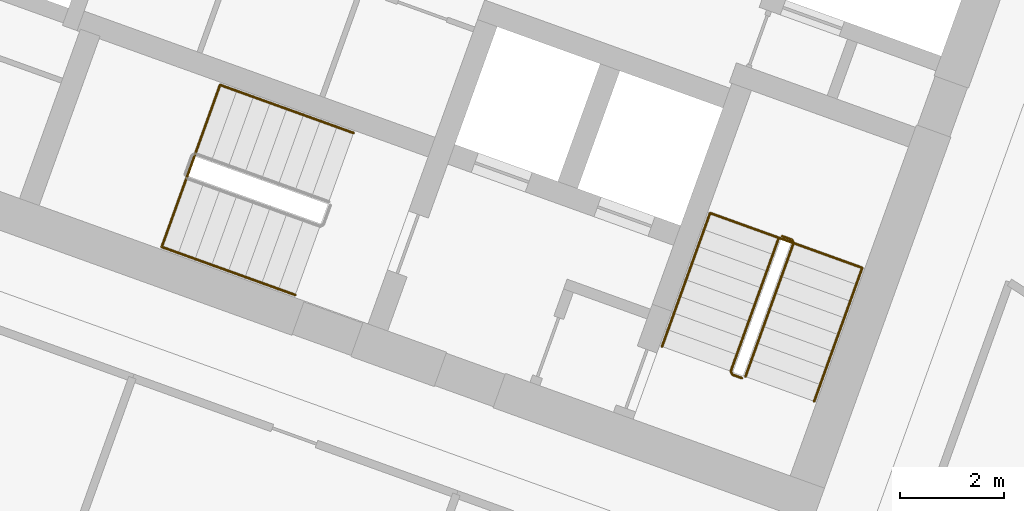
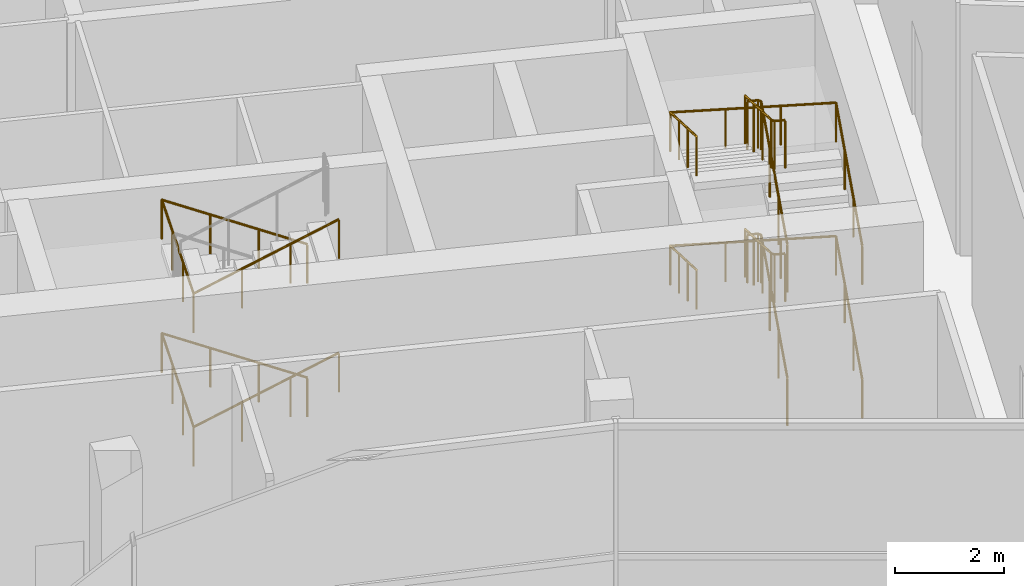
# One storey, part 18 of 18: 8 railings.
"""IFC4 building model written with IfcOpenShell, lengths in metres."""

from ifc_helpers import new_model, si_unit, direction, frame, origin, origin_2d, place, context, subcontext, project, spatial, circle, extrude, material, type_object, element, save


model = new_model("IFC4")

# Units and contexts
model_context = context("Model", 3, precision=1e-05, world=origin(), true_north=direction((0.0, 1.0)))
body_context = subcontext(model_context, "Body", "Model", "MODEL_VIEW")
ifc_project = project(units=[si_unit("LENGTHUNIT", "METRE"), si_unit("AREAUNIT", "SQUARE_METRE"), si_unit("VOLUMEUNIT", "CUBIC_METRE"), si_unit("PLANEANGLEUNIT", "RADIAN"), si_unit("MASSUNIT", "GRAM", prefix="KILO")], contexts=[model_context])

# Site, building, storey
site_placement = place(None, origin())
site = spatial("IfcSite", under=ifc_project, at=site_placement, CompositionType="ELEMENT")
building_placement = place(site_placement, origin())
building = spatial("IfcBuilding", under=site, at=building_placement, Name="Stone Belt Terrace Tower", CompositionType="ELEMENT")
storey_placement = place(building_placement, frame((0.0, 0.0, 307.39990234375)))
storey = spatial("IfcBuildingStorey", under=building, at=storey_placement, Name="L75", CompositionType="ELEMENT", Elevation=307.39990234375)

# Railings
ifc_material = material(Name="Structural steel C345", Category="steel")
railing_type_1 = type_object("IfcRailingType", Name="Stair guard 1100", PredefinedType="GUARDRAIL", material=ifc_material)
railing_1_placement = place(storey_placement, frame((24.494140625, 45.174560546875, 0.166748046875)))
element("IfcRailing", 1, at=railing_1_placement, inside=storey, type_object=railing_type_1, Name="L75 ST1B stair guard 1", PredefinedType="GUARDRAIL", context=body_context, shape_type="SweptSolid", body=[
    extrude(circle(Radius=0.02392578125, at=origin_2d()), frame((0.0, 0.0, 1.076171875), z_axis=(0.304085050599, 0.844877706182, 0.440129462316), x_axis=(-0.940912581645, 0.338649544076, 0.0)), (0.0, 0.0, 1.0), 3.029296875),
    extrude(circle(Radius=0.02392578125, at=origin_2d()), frame((0.921142578125, 2.559326171875, 2.4091796875), z_axis=(-0.424964916, 0.905209821074, 0.0), x_axis=(-0.905209821074, -0.424964916, 0.0)), (0.0, 0.0, 1.0), 0.070556640625),
    extrude(circle(Radius=0.02392578125, at=origin_2d()), frame((0.89111328125, 2.623291015625, 2.4091796875), z_axis=(-0.941105063269, 0.338114270461, 0.0), x_axis=(-0.338114270461, -0.941105063269, 0.0)), (0.0, 0.0, 1.0), 0.199951171875),
    extrude(circle(Radius=0.02099609375, at=origin_2d()), origin(), (0.0, 0.0, 1.0), 1.052001953125),
    extrude(circle(Radius=0.02099609375, at=origin_2d()), frame((0.30712890625, 0.85302734375, 0.4443359375)), (0.0, 0.0, 1.0), 1.052001953125),
    extrude(circle(Radius=0.02099609375, at=origin_2d()), frame((0.614013671875, 1.706298828125, 0.888916015625)), (0.0, 0.0, 1.0), 1.052001953125),
    extrude(circle(Radius=0.02099609375, at=origin_2d()), frame((0.921142578125, 2.559326171875, 1.333251953125)), (0.0, 0.0, 1.0), 1.052001953125),
    extrude(circle(Radius=0.02099609375, at=origin_2d()), frame((0.89111328125, 2.623291015625, 1.333251953125)), (0.0, 0.0, 1.0), 1.052001953125),
    extrude(circle(Radius=0.02099609375, at=origin_2d()), frame((0.702880859375, 2.69091796875, 1.333251953125)), (0.0, 0.0, 1.0), 1.052001953125),
])
railing_2_placement = place(storey_placement, frame((25.133056640625, 47.83544921875, 1.666748046875)))
element("IfcRailing", 2, at=railing_2_placement, inside=storey, type_object=railing_type_1, Name="L75 ST1B stair guard 2", PredefinedType="GUARDRAIL", context=body_context, shape_type="SweptSolid", body=[
    extrude(circle(Radius=0.02392578125, at=origin_2d()), frame((0.0, 0.0, 1.076171875), z_axis=(-0.304085050599, -0.844877706182, 0.440129462316), x_axis=(0.940912581645, -0.338649544076, 0.0)), (0.0, 0.0, 1.0), 3.029296875),
    extrude(circle(Radius=0.02392578125, at=origin_2d()), frame((-0.921142578125, -2.559326171875, 2.4091796875), z_axis=(0.427789722475, -0.903878284585, 0.0), x_axis=(0.903878284585, 0.427789722475, 0.0)), (0.0, 0.0, 1.0), 0.07080078125),
    extrude(circle(Radius=0.02392578125, at=origin_2d()), frame((-0.890869140625, -2.623291015625, 2.4091796875), z_axis=(0.940575576748, -0.339584429008, 0.0), x_axis=(0.339584429008, 0.940575576748, 0.0)), (0.0, 0.0, 1.0), 0.199951171875),
    extrude(circle(Radius=0.02099609375, at=origin_2d()), origin(), (0.0, 0.0, 1.0), 1.052001953125),
    extrude(circle(Radius=0.02099609375, at=origin_2d()), frame((-0.30712890625, -0.85302734375, 0.4443359375)), (0.0, 0.0, 1.0), 1.052001953125),
    extrude(circle(Radius=0.02099609375, at=origin_2d()), frame((-0.614013671875, -1.706298828125, 0.888916015625)), (0.0, 0.0, 1.0), 1.052001953125),
    extrude(circle(Radius=0.02099609375, at=origin_2d()), frame((-0.921142578125, -2.559326171875, 1.333251953125)), (0.0, 0.0, 1.0), 1.052001953125),
    extrude(circle(Radius=0.02099609375, at=origin_2d()), frame((-0.890869140625, -2.623291015625, 1.333251953125)), (0.0, 0.0, 1.0), 1.052001953125),
    extrude(circle(Radius=0.02099609375, at=origin_2d()), frame((-0.702880859375, -2.691162109375, 1.333251953125)), (0.0, 0.0, 1.0), 1.052001953125),
])
railing_3_placement = place(storey_placement, frame((24.494140625, 45.174560546875, 3.166748046875)))
element("IfcRailing", 3, at=railing_3_placement, inside=storey, type_object=railing_type_1, Name="L75 ST1B stair guard 3", PredefinedType="GUARDRAIL", context=body_context, shape_type="SweptSolid", body=[
    extrude(circle(Radius=0.02392578125, at=origin_2d()), frame((0.0, 0.0, 1.076171875), z_axis=(0.304085050599, 0.844877706182, 0.440129462316), x_axis=(-0.940912581645, 0.338649544076, 0.0)), (0.0, 0.0, 1.0), 3.029296875),
    extrude(circle(Radius=0.02392578125, at=origin_2d()), frame((0.921142578125, 2.559326171875, 2.4091796875), z_axis=(-0.424964916, 0.905209821074, 0.0), x_axis=(-0.905209821074, -0.424964916, 0.0)), (0.0, 0.0, 1.0), 0.070556640625),
    extrude(circle(Radius=0.02392578125, at=origin_2d()), frame((0.89111328125, 2.623291015625, 2.4091796875), z_axis=(-0.941105063269, 0.338114270461, 0.0), x_axis=(-0.338114270461, -0.941105063269, 0.0)), (0.0, 0.0, 1.0), 0.199951171875),
    extrude(circle(Radius=0.02099609375, at=origin_2d()), origin(), (0.0, 0.0, 1.0), 1.052001953125),
    extrude(circle(Radius=0.02099609375, at=origin_2d()), frame((0.30712890625, 0.85302734375, 0.4443359375)), (0.0, 0.0, 1.0), 1.052001953125),
    extrude(circle(Radius=0.02099609375, at=origin_2d()), frame((0.614013671875, 1.706298828125, 0.888916015625)), (0.0, 0.0, 1.0), 1.052001953125),
    extrude(circle(Radius=0.02099609375, at=origin_2d()), frame((0.921142578125, 2.559326171875, 1.333251953125)), (0.0, 0.0, 1.0), 1.052001953125),
    extrude(circle(Radius=0.02099609375, at=origin_2d()), frame((0.89111328125, 2.623291015625, 1.333251953125)), (0.0, 0.0, 1.0), 1.052001953125),
    extrude(circle(Radius=0.02099609375, at=origin_2d()), frame((0.702880859375, 2.69091796875, 1.333251953125)), (0.0, 0.0, 1.0), 1.052001953125),
])
railing_4_placement = place(storey_placement, frame((25.133056640625, 47.83544921875, 4.666748046875)))
element("IfcRailing", 4, at=railing_4_placement, inside=storey, type_object=railing_type_1, Name="L75 ST1B stair guard 4", PredefinedType="GUARDRAIL", context=body_context, shape_type="SweptSolid", body=[
    extrude(circle(Radius=0.02392578125, at=origin_2d()), frame((0.0, 0.0, 1.076171875), z_axis=(-0.304085050599, -0.844877706182, 0.440129462316), x_axis=(0.940912581645, -0.338649544076, 0.0)), (0.0, 0.0, 1.0), 3.029296875),
    extrude(circle(Radius=0.02392578125, at=origin_2d()), frame((-0.921142578125, -2.559326171875, 2.4091796875), z_axis=(0.427789722475, -0.903878284585, 0.0), x_axis=(0.903878284585, 0.427789722475, 0.0)), (0.0, 0.0, 1.0), 0.07080078125),
    extrude(circle(Radius=0.02392578125, at=origin_2d()), frame((-0.890869140625, -2.623291015625, 2.4091796875), z_axis=(0.940575576748, -0.339584429008, 0.0), x_axis=(0.339584429008, 0.940575576748, 0.0)), (0.0, 0.0, 1.0), 0.199951171875),
    extrude(circle(Radius=0.02099609375, at=origin_2d()), origin(), (0.0, 0.0, 1.0), 1.052001953125),
    extrude(circle(Radius=0.02099609375, at=origin_2d()), frame((-0.30712890625, -0.85302734375, 0.4443359375)), (0.0, 0.0, 1.0), 1.052001953125),
    extrude(circle(Radius=0.02099609375, at=origin_2d()), frame((-0.614013671875, -1.706298828125, 0.888916015625)), (0.0, 0.0, 1.0), 1.052001953125),
    extrude(circle(Radius=0.02099609375, at=origin_2d()), frame((-0.921142578125, -2.559326171875, 1.333251953125)), (0.0, 0.0, 1.0), 1.052001953125),
    extrude(circle(Radius=0.02099609375, at=origin_2d()), frame((-0.890869140625, -2.623291015625, 1.333251953125)), (0.0, 0.0, 1.0), 1.052001953125),
    extrude(circle(Radius=0.02099609375, at=origin_2d()), frame((-0.702880859375, -2.691162109375, 1.333251953125)), (0.0, 0.0, 1.0), 1.052001953125),
])
railing_type_2 = type_object("IfcRailingType", Name="Stair handrail 900", PredefinedType="HANDRAIL", material=ifc_material)
railing_5_placement = place(storey_placement, frame((25.8115234375, 44.700439453125, 0.166748046875)))
element("IfcRailing", 5, at=railing_5_placement, inside=storey, type_object=railing_type_2, Name="L75 ST1B stair handrail 1", PredefinedType="HANDRAIL", context=body_context, shape_type="SweptSolid", body=[
    extrude(circle(Radius=0.02392578125, at=origin_2d()), frame((0.0, 0.0, 0.8759765625), z_axis=(0.304085050599, 0.844877706182, 0.440129462316), x_axis=(-0.940912581645, 0.338649544076, 0.0)), (0.0, 0.0, 1.0), 3.029296875),
    extrude(circle(Radius=0.02392578125, at=origin_2d()), frame((0.921142578125, 2.559326171875, 2.208984375), z_axis=(-0.939586396849, 0.338071804491, 0.05371087287), x_axis=(-0.338560506674, -0.940944622877, 0.0)), (0.0, 0.0, 1.0), 3.1044921875),
    extrude(circle(Radius=0.02392578125, at=origin_2d()), frame((-1.995849609375, 3.60888671875, 2.3759765625), z_axis=(-0.304032608525, -0.844875345325, 0.44017022141), x_axis=(0.940930888665, -0.338598675066, 0.0)), (0.0, 0.0, 1.0), 3.029052734375),
    extrude(circle(Radius=0.02099609375, at=origin_2d()), origin(), (0.0, 0.0, 1.0), 0.851806640625),
    extrude(circle(Radius=0.02099609375, at=origin_2d()), frame((0.30712890625, 0.85302734375, 0.4443359375)), (0.0, 0.0, 1.0), 0.851806640625),
    extrude(circle(Radius=0.02099609375, at=origin_2d()), frame((0.614013671875, 1.706298828125, 0.888916015625)), (0.0, 0.0, 1.0), 0.851806640625),
    extrude(circle(Radius=0.02099609375, at=origin_2d()), frame((0.921142578125, 2.559326171875, 1.333251953125)), (0.0, 0.0, 1.0), 0.851806640625),
    extrude(circle(Radius=0.02099609375, at=origin_2d()), frame((-0.05126953125, 2.9091796875, 1.388916015625)), (0.0, 0.0, 1.0), 0.851806640625),
    extrude(circle(Radius=0.02099609375, at=origin_2d()), frame((-1.0234375, 3.259033203125, 1.4443359375)), (0.0, 0.0, 1.0), 0.851806640625),
    extrude(circle(Radius=0.02099609375, at=origin_2d()), frame((-1.995849609375, 3.60888671875, 1.5)), (0.0, 0.0, 1.0), 0.851806640625),
    extrude(circle(Radius=0.02099609375, at=origin_2d()), frame((-2.302734375, 2.755859375, 1.9443359375)), (0.0, 0.0, 1.0), 0.851806640625),
    extrude(circle(Radius=0.02099609375, at=origin_2d()), frame((-2.60986328125, 1.90283203125, 2.388916015625)), (0.0, 0.0, 1.0), 0.851806640625),
    extrude(circle(Radius=0.02099609375, at=origin_2d()), frame((-2.916748046875, 1.0498046875, 2.833251953125)), (0.0, 0.0, 1.0), 0.851806640625),
])
railing_6_placement = place(storey_placement, frame((25.8115234375, 44.700439453125, 3.166748046875)))
element("IfcRailing", 6, at=railing_6_placement, inside=storey, type_object=railing_type_2, Name="L75 ST1B stair handrail 2", PredefinedType="HANDRAIL", context=body_context, shape_type="SweptSolid", body=[
    extrude(circle(Radius=0.02392578125, at=origin_2d()), frame((0.0, 0.0, 0.8759765625), z_axis=(0.304085050599, 0.844877706182, 0.440129462316), x_axis=(-0.940912581645, 0.338649544076, 0.0)), (0.0, 0.0, 1.0), 3.029296875),
    extrude(circle(Radius=0.02392578125, at=origin_2d()), frame((0.921142578125, 2.559326171875, 2.208984375), z_axis=(-0.939586396849, 0.338071804491, 0.05371087287), x_axis=(-0.338560506674, -0.940944622877, 0.0)), (0.0, 0.0, 1.0), 3.1044921875),
    extrude(circle(Radius=0.02392578125, at=origin_2d()), frame((-1.995849609375, 3.60888671875, 2.3759765625), z_axis=(-0.304032608525, -0.844875345325, 0.44017022141), x_axis=(0.940930888665, -0.338598675066, 0.0)), (0.0, 0.0, 1.0), 3.029052734375),
    extrude(circle(Radius=0.02099609375, at=origin_2d()), origin(), (0.0, 0.0, 1.0), 0.851806640625),
    extrude(circle(Radius=0.02099609375, at=origin_2d()), frame((0.30712890625, 0.85302734375, 0.4443359375)), (0.0, 0.0, 1.0), 0.851806640625),
    extrude(circle(Radius=0.02099609375, at=origin_2d()), frame((0.614013671875, 1.706298828125, 0.888916015625)), (0.0, 0.0, 1.0), 0.851806640625),
    extrude(circle(Radius=0.02099609375, at=origin_2d()), frame((0.921142578125, 2.559326171875, 1.333251953125)), (0.0, 0.0, 1.0), 0.851806640625),
    extrude(circle(Radius=0.02099609375, at=origin_2d()), frame((-0.05126953125, 2.9091796875, 1.388916015625)), (0.0, 0.0, 1.0), 0.851806640625),
    extrude(circle(Radius=0.02099609375, at=origin_2d()), frame((-1.0234375, 3.259033203125, 1.4443359375)), (0.0, 0.0, 1.0), 0.851806640625),
    extrude(circle(Radius=0.02099609375, at=origin_2d()), frame((-1.995849609375, 3.60888671875, 1.5)), (0.0, 0.0, 1.0), 0.851806640625),
    extrude(circle(Radius=0.02099609375, at=origin_2d()), frame((-2.302734375, 2.755859375, 1.9443359375)), (0.0, 0.0, 1.0), 0.851806640625),
    extrude(circle(Radius=0.02099609375, at=origin_2d()), frame((-2.60986328125, 1.90283203125, 2.388916015625)), (0.0, 0.0, 1.0), 0.851806640625),
    extrude(circle(Radius=0.02099609375, at=origin_2d()), frame((-2.916748046875, 1.0498046875, 2.833251953125)), (0.0, 0.0, 1.0), 0.851806640625),
])
railing_7_placement = place(storey_placement, frame((16.981689453125, 49.84423828125, 0.166748046875)))
element("IfcRailing", 7, at=railing_7_placement, inside=storey, type_object=railing_type_2, Name="L75 ST2B stair handrail 1", PredefinedType="HANDRAIL", context=body_context, shape_type="SweptSolid", body=[
    extrude(circle(Radius=0.02392578125, at=origin_2d()), frame((0.0, 0.0, 0.8759765625), z_axis=(-0.844877706182, 0.304085050599, 0.440129462316), x_axis=(-0.338649544076, -0.940912581645, 0.0)), (0.0, 0.0, 1.0), 3.029296875),
    extrude(circle(Radius=0.02392578125, at=origin_2d()), frame((-2.559326171875, 0.921142578125, 2.208984375), z_axis=(-0.33819104767, -0.939723343734, 0.050466350351), x_axis=(0.940922302781, -0.338622533404, 0.0)), (0.0, 0.0, 1.0), 3.30419921875),
    extrude(circle(Radius=0.02392578125, at=origin_2d()), frame((-3.6767578125, -2.183837890625, 2.3759765625), z_axis=(0.844877706182, -0.304085050599, 0.440129462316), x_axis=(0.338649544076, 0.940912581645, 0.0)), (0.0, 0.0, 1.0), 3.029296875),
    extrude(circle(Radius=0.02099609375, at=origin_2d()), origin(), (0.0, 0.0, 1.0), 0.851806640625),
    extrude(circle(Radius=0.02099609375, at=origin_2d()), frame((-0.85302734375, 0.30712890625, 0.4443359375)), (0.0, 0.0, 1.0), 0.851806640625),
    extrude(circle(Radius=0.02099609375, at=origin_2d()), frame((-1.706298828125, 0.614013671875, 0.888916015625)), (0.0, 0.0, 1.0), 0.851806640625),
    extrude(circle(Radius=0.02099609375, at=origin_2d()), frame((-2.559326171875, 0.921142578125, 1.333251953125)), (0.0, 0.0, 1.0), 0.851806640625),
    extrude(circle(Radius=0.02099609375, at=origin_2d()), frame((-2.931884765625, -0.11376953125, 1.388916015625)), (0.0, 0.0, 1.0), 0.851806640625),
    extrude(circle(Radius=0.02099609375, at=origin_2d()), frame((-3.30419921875, -1.14892578125, 1.4443359375)), (0.0, 0.0, 1.0), 0.851806640625),
    extrude(circle(Radius=0.02099609375, at=origin_2d()), frame((-3.6767578125, -2.183837890625, 1.5)), (0.0, 0.0, 1.0), 0.851806640625),
    extrude(circle(Radius=0.02099609375, at=origin_2d()), frame((-2.82373046875, -2.490966796875, 1.9443359375)), (0.0, 0.0, 1.0), 0.851806640625),
    extrude(circle(Radius=0.02099609375, at=origin_2d()), frame((-1.970458984375, -2.7978515625, 2.388916015625)), (0.0, 0.0, 1.0), 0.851806640625),
    extrude(circle(Radius=0.02099609375, at=origin_2d()), frame((-1.117431640625, -3.10498046875, 2.833251953125)), (0.0, 0.0, 1.0), 0.851806640625),
])
railing_8_placement = place(storey_placement, frame((16.981689453125, 49.84423828125, 3.166748046875)))
element("IfcRailing", 8, at=railing_8_placement, inside=storey, type_object=railing_type_2, Name="L75 ST2B stair handrail 2", PredefinedType="HANDRAIL", context=body_context, shape_type="SweptSolid", body=[
    extrude(circle(Radius=0.02392578125, at=origin_2d()), frame((0.0, 0.0, 0.8759765625), z_axis=(-0.844877706182, 0.304085050599, 0.440129462316), x_axis=(-0.338649544076, -0.940912581645, 0.0)), (0.0, 0.0, 1.0), 3.029296875),
    extrude(circle(Radius=0.02392578125, at=origin_2d()), frame((-2.559326171875, 0.921142578125, 2.208984375), z_axis=(-0.33819104767, -0.939723343734, 0.050466350351), x_axis=(0.940922302781, -0.338622533404, 0.0)), (0.0, 0.0, 1.0), 3.30419921875),
    extrude(circle(Radius=0.02392578125, at=origin_2d()), frame((-3.6767578125, -2.183837890625, 2.3759765625), z_axis=(0.844877706182, -0.304085050599, 0.440129462316), x_axis=(0.338649544076, 0.940912581645, 0.0)), (0.0, 0.0, 1.0), 3.029296875),
    extrude(circle(Radius=0.02099609375, at=origin_2d()), origin(), (0.0, 0.0, 1.0), 0.851806640625),
    extrude(circle(Radius=0.02099609375, at=origin_2d()), frame((-0.85302734375, 0.30712890625, 0.4443359375)), (0.0, 0.0, 1.0), 0.851806640625),
    extrude(circle(Radius=0.02099609375, at=origin_2d()), frame((-1.706298828125, 0.614013671875, 0.888916015625)), (0.0, 0.0, 1.0), 0.851806640625),
    extrude(circle(Radius=0.02099609375, at=origin_2d()), frame((-2.559326171875, 0.921142578125, 1.333251953125)), (0.0, 0.0, 1.0), 0.851806640625),
    extrude(circle(Radius=0.02099609375, at=origin_2d()), frame((-2.931884765625, -0.11376953125, 1.388916015625)), (0.0, 0.0, 1.0), 0.851806640625),
    extrude(circle(Radius=0.02099609375, at=origin_2d()), frame((-3.30419921875, -1.14892578125, 1.4443359375)), (0.0, 0.0, 1.0), 0.851806640625),
    extrude(circle(Radius=0.02099609375, at=origin_2d()), frame((-3.6767578125, -2.183837890625, 1.5)), (0.0, 0.0, 1.0), 0.851806640625),
    extrude(circle(Radius=0.02099609375, at=origin_2d()), frame((-2.82373046875, -2.490966796875, 1.9443359375)), (0.0, 0.0, 1.0), 0.851806640625),
    extrude(circle(Radius=0.02099609375, at=origin_2d()), frame((-1.970458984375, -2.7978515625, 2.388916015625)), (0.0, 0.0, 1.0), 0.851806640625),
    extrude(circle(Radius=0.02099609375, at=origin_2d()), frame((-1.117431640625, -3.10498046875, 2.833251953125)), (0.0, 0.0, 1.0), 0.851806640625),
])

save(model, "model.ifc")
